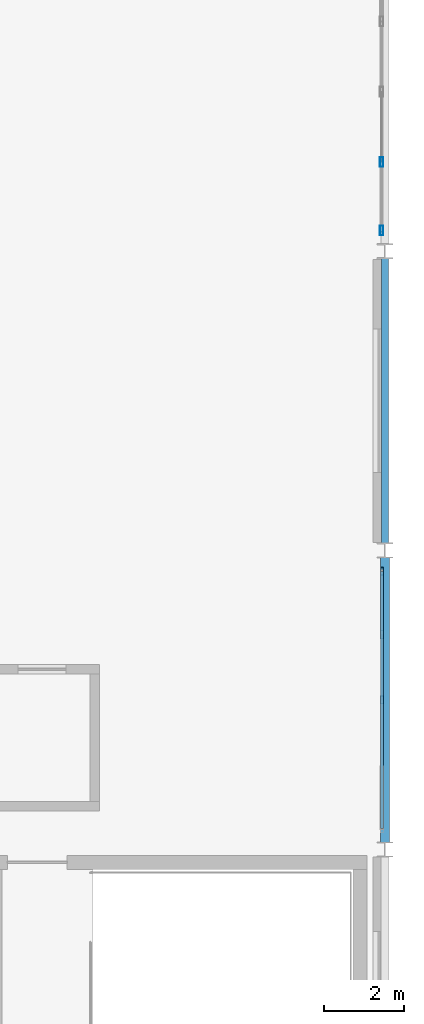
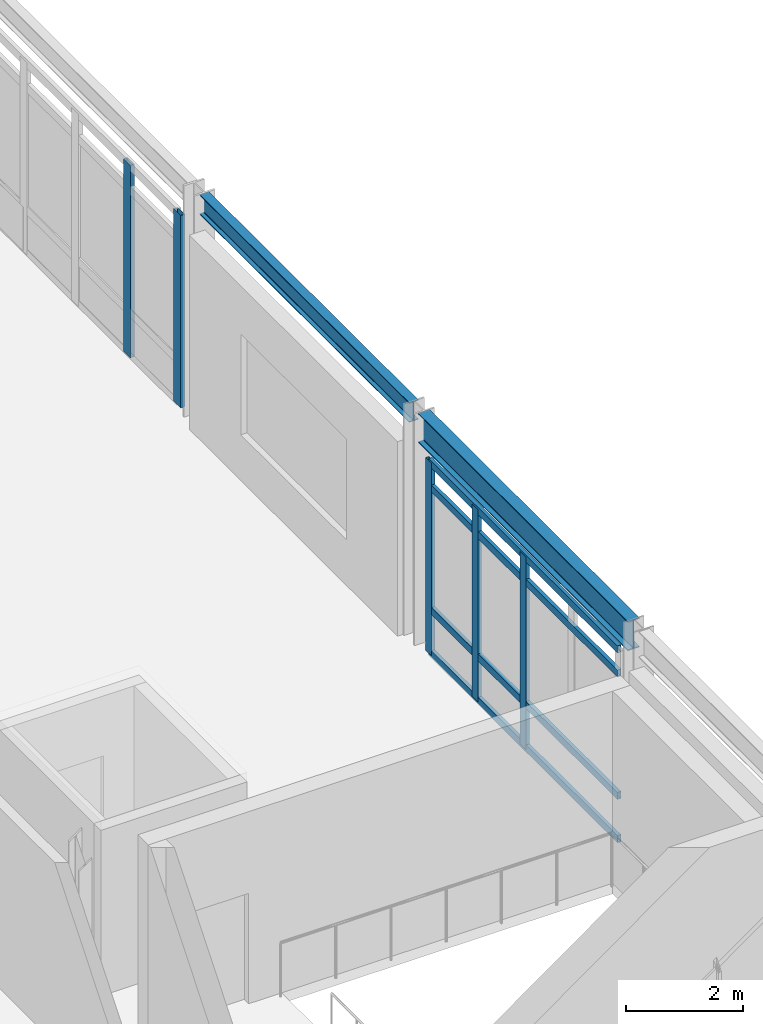
# One storey, part 23 of 56: 9 members, 2 beams, 2 elements without a shape of their own.
"""IFC4 building model written with IfcOpenShell, lengths in metres."""

from ifc_helpers import new_model, si_unit, direction, frame, origin, origin_2d, place, context, subcontext, project, spatial, hollow_rectangle, i_section, extrude, material, material_profile, profile_set, type_object, element, aggregate, save


model = new_model("IFC4")

# Units and contexts
model_context = context("Model", 3, precision=1e-05, world=origin(), true_north=direction((0.0, 1.0)))
body_context = subcontext(model_context, "Body", "Model", "MODEL_VIEW")
ifc_project = project(units=[si_unit("LENGTHUNIT", "METRE"), si_unit("AREAUNIT", "SQUARE_METRE"), si_unit("VOLUMEUNIT", "CUBIC_METRE"), si_unit("PLANEANGLEUNIT", "RADIAN"), si_unit("MASSUNIT", "GRAM", prefix="KILO"), si_unit("THERMODYNAMICTEMPERATUREUNIT", "KELVIN"), si_unit("POWERUNIT", "WATT")], contexts=[model_context])

# Site, building, storey
site_placement = place(None, origin())
site = spatial("IfcSite", under=ifc_project, at=site_placement, CompositionType="ELEMENT")
building_placement = place(site_placement, origin())
building = spatial("IfcBuilding", under=site, at=building_placement, Name="Tepalcoro Natatorium and Aquatics Centre", CompositionType="ELEMENT")
storey_placement = place(building_placement, frame((0.0, 0.0, 14.800048828125)))
storey = spatial("IfcBuildingStorey", under=building, at=storey_placement, Name="L03", CompositionType="ELEMENT", Elevation=14.800048828125)

# Curtain wall, members
ifc_material_1 = material(Name="Bronze-Anodised Extruded Aluminium Alloy EN AW-6063 T6", Category="aluminium")
curtain_wall_type_1 = type_object("IfcCurtainWallType", Name="CW_LEAN_T2_NS", PredefinedType="USERDEFINED", material=ifc_material_1)
curtain_wall_1_placement = place(storey_placement, origin())
curtain_wall_1 = element("IfcCurtainWall", 1, at=curtain_wall_1_placement, inside=storey, type_object=curtain_wall_type_1, Name="V2 L03 E Unitised Curtain Wall Bay 2", ObjectType="FACETED SOLAR GLAZING", PredefinedType="USERDEFINED")
ifc_material_profile_1 = material_profile(ifc_material_1, hollow_rectangle(XDim=0.070068359375, YDim=0.199951171875, WallThickness=0.0048828125, at=origin_2d()), Name="AL70X200X5")
ifc_profile_set_1 = profile_set([ifc_material_profile_1], Name="Bronze-Anodised Extruded Aluminium Alloy EN AW-6063 T6")
member_type_1 = type_object("IfcMemberType", Name="CW_MUL_70x200", PredefinedType="MULLION", material=ifc_profile_set_1)
member_1_placement = place(storey_placement, frame((175.923828125, 16.75, 0.02001953125), z_axis=(0.0, 0.0, 1.0), x_axis=(1.0, 0.0, 0.0)))
member_1 = element("IfcMember", 2, at=member_1_placement, type_object=member_type_1, Name="CW_LEAN_T2_NS Curtain Wall Mullion", PredefinedType="MULLION", context=body_context, shape_type="SweptSolid", body=[
    extrude(hollow_rectangle(XDim=0.070068359375, YDim=0.199951171875, WallThickness=0.0048828125, at=origin_2d()), origin(), (0.0, 0.0, 1.0), 4.010009765625),
])
member_2_placement = place(storey_placement, frame((175.923828125, 18.385009765625, 0.02001953125), z_axis=(0.0, 0.0, 1.0), x_axis=(1.0, 0.0, 0.0)))
member_2 = element("IfcMember", 3, at=member_2_placement, type_object=member_type_1, Name="CW_LEAN_T2_NS Curtain Wall Mullion", PredefinedType="MULLION", context=body_context, shape_type="SweptSolid", body=[
    extrude(hollow_rectangle(XDim=0.070068359375, YDim=0.199951171875, WallThickness=0.0048828125, at=origin_2d()), origin(), (0.0, 0.0, 1.0), 4.010009765625),
])
member_3_placement = place(storey_placement, frame((175.923828125, 19.97998046875, 0.02001953125), z_axis=(0.0, 0.0, 1.0), x_axis=(1.0, 0.0, 0.0)))
member_3 = element("IfcMember", 4, at=member_3_placement, type_object=member_type_1, Name="CW_LEAN_T2_NS Curtain Wall Mullion", PredefinedType="MULLION", context=body_context, shape_type="SweptSolid", body=[
    extrude(hollow_rectangle(XDim=0.070068359375, YDim=0.199951171875, WallThickness=0.0048828125, at=origin_2d()), origin(), (0.0, 0.0, 1.0), 4.010009765625),
])

curtain_wall_type_2 = type_object("IfcCurtainWallType", Name="CW_V1_PLINTH", PredefinedType="USERDEFINED", material=ifc_material_1)
curtain_wall_2_placement = place(storey_placement, origin())
curtain_wall_2 = element("IfcCurtainWall", 5, at=curtain_wall_2_placement, inside=storey, type_object=curtain_wall_type_2, Name="V2 L03 E Unitised Curtain Wall Bay 4", ObjectType="UNITISED STOREFRONT", PredefinedType="USERDEFINED")
ifc_material_profile_2 = material_profile(ifc_material_1, hollow_rectangle(XDim=0.080078125, YDim=0.239990234375, WallThickness=0.0048828125, at=origin_2d()), Name="AL80X240X5")
ifc_profile_set_2 = profile_set([ifc_material_profile_2], Name="Bronze-Anodised Extruded Aluminium Alloy EN AW-6063 T6")
member_type_2 = type_object("IfcMemberType", Name="CW_MUL_80x240", PredefinedType="MULLION", material=ifc_profile_set_2)
member_4_placement = place(storey_placement, frame((175.909912109375, 28.52001953125, 0.02001953125), z_axis=(0.0, 0.0, 1.0), x_axis=(1.0, 0.0, 0.0)))
member_4 = element("IfcMember", 6, at=member_4_placement, type_object=member_type_2, Name="CW_V1_PLINTH Curtain Wall Mullion", PredefinedType="MULLION", context=body_context, shape_type="SweptSolid", body=[
    extrude(hollow_rectangle(XDim=0.080078125, YDim=0.239990234375, WallThickness=0.0048828125, at=origin_2d()), origin(), (0.0, 0.0, 1.0), 4.010009765625),
])
member_5_placement = place(storey_placement, frame((175.909912109375, 30.239990234375, 0.02001953125), z_axis=(0.0, 0.0, 1.0), x_axis=(1.0, 0.0, 0.0)))
member_5 = element("IfcMember", 7, at=member_5_placement, type_object=member_type_2, Name="CW_V1_PLINTH Curtain Wall Mullion", PredefinedType="MULLION", context=body_context, shape_type="SweptSolid", body=[
    extrude(hollow_rectangle(XDim=0.080078125, YDim=0.239990234375, WallThickness=0.0048828125, at=origin_2d()), origin(), (0.0, 0.0, 1.0), 4.010009765625),
])
aggregate(curtain_wall_2, [member_4, member_5])

# Member
ifc_material_profile_3 = material_profile(ifc_material_1, hollow_rectangle(XDim=0.070068359375, YDim=0.14990234375, WallThickness=0.00390625, at=origin_2d()), Name="AL70X150X4")
ifc_profile_set_3 = profile_set([ifc_material_profile_3], Name="Bronze-Anodised Extruded Aluminium Alloy EN AW-6063 T6")
member_type_3 = type_object("IfcMemberType", Name="CW_TRN_70x150", PredefinedType="USERDEFINED", material=ifc_profile_set_3)
member_6_placement = place(storey_placement, frame((175.923828125, 13.530029296875, 0.050048828125), z_axis=(0.0, 1.0, 0.0), x_axis=(-1.0, 0.0, 0.0)))
member_6 = element("IfcMember", 8, at=member_6_placement, type_object=member_type_3, Name="CW_LEAN_T2_NS Curtain Wall Transom", ObjectType="TRANSOM", PredefinedType="USERDEFINED", context=body_context, shape_type="SweptSolid", body=[
    extrude(hollow_rectangle(XDim=0.070068359375, YDim=0.14990234375, WallThickness=0.00390625, at=origin_2d()), origin(), (0.0, 0.0, 1.0), 6.43994140625),
])

member_7_placement = place(storey_placement, frame((175.923828125, 13.530029296875, 0.949951171875), z_axis=(0.0, 1.0, 0.0), x_axis=(-1.0, 0.0, 0.0)))
member_7 = element("IfcMember", 9, at=member_7_placement, type_object=member_type_3, Name="CW_LEAN_T2_NS Curtain Wall Transom", ObjectType="TRANSOM", PredefinedType="USERDEFINED", context=body_context, shape_type="SweptSolid", body=[
    extrude(hollow_rectangle(XDim=0.070068359375, YDim=0.14990234375, WallThickness=0.00390625, at=origin_2d()), origin(), (0.0, 0.0, 1.0), 6.43994140625),
])

member_8_placement = place(storey_placement, frame((175.923828125, 13.530029296875, 3.5), z_axis=(0.0, 1.0, 0.0), x_axis=(-1.0, 0.0, 0.0)))
member_8 = element("IfcMember", 10, at=member_8_placement, type_object=member_type_3, Name="CW_LEAN_T2_NS Curtain Wall Transom", ObjectType="TRANSOM", PredefinedType="USERDEFINED", context=body_context, shape_type="SweptSolid", body=[
    extrude(hollow_rectangle(XDim=0.070068359375, YDim=0.14990234375, WallThickness=0.00390625, at=origin_2d()), origin(), (0.0, 0.0, 1.0), 6.43994140625),
])

member_9_placement = place(storey_placement, frame((175.923828125, 13.530029296875, 4.0), z_axis=(0.0, 1.0, 0.0), x_axis=(-1.0, 0.0, 0.0)))
member_9 = element("IfcMember", 11, at=member_9_placement, type_object=member_type_3, Name="CW_LEAN_T2_NS Curtain Wall Transom", ObjectType="TRANSOM", PredefinedType="USERDEFINED", context=body_context, shape_type="SweptSolid", body=[
    extrude(hollow_rectangle(XDim=0.070068359375, YDim=0.14990234375, WallThickness=0.00390625, at=origin_2d()), origin(), (0.0, 0.0, 1.0), 6.43994140625),
])

aggregate(curtain_wall_1, [member_1, member_2, member_3, member_6, member_7, member_8, member_9])

# Beams
ifc_material_2 = material(Name="Steel ASTM A992 Grade 50 (Fy 345 MPa)", Category="steel")
ifc_material_profile_4 = material_profile(ifc_material_2, i_section(OverallWidth=0.179931640625, OverallDepth=0.4130859375, WebThickness=0.010009765625, FlangeThickness=0.01611328125, FilletRadius=0.013916015625, at=origin_2d()), Name="W16X50")
ifc_profile_set_4 = profile_set([ifc_material_profile_4], Name="Steel ASTM A992 Grade 50 (Fy 345 MPa)")
beam_type_1 = type_object("IfcBeamType", Name="SP_HSS300x200x12", PredefinedType="SPANDREL", material=ifc_profile_set_4)
beam_1_placement = place(storey_placement, frame((176.0, 20.672119140625, 4.598388671875), z_axis=(0.0, 1.0, 0.0), x_axis=(-1.0, 0.0, 0.0)))
element("IfcBeam", 12, at=beam_1_placement, inside=storey, type_object=beam_type_1, Name="V2 L03 Grid Girder Y", PredefinedType="SPANDREL", context=body_context, shape_type="SweptSolid", body=[
    extrude(i_section(OverallWidth=0.179931640625, OverallDepth=0.4130859375, WebThickness=0.010009765625, FlangeThickness=0.01611328125, FilletRadius=0.013916015625, at=origin_2d()), origin(), (0.0, 0.0, 1.0), 7.1494140625),
])
ifc_material_profile_5 = material_profile(ifc_material_2, i_section(OverallWidth=0.22900390625, OverallDepth=0.612060546875, WebThickness=0.011962890625, FlangeThickness=0.02001953125, FilletRadius=0.013916015625, at=origin_2d()), Name="W24X84")
ifc_profile_set_5 = profile_set([ifc_material_profile_5], Name="Steel ASTM A992 Grade 50 (Fy 345 MPa)")
beam_type_2 = type_object("IfcBeamType", Name="SP_W24x84", PredefinedType="SPANDREL", material=ifc_profile_set_5)
beam_2_placement = place(storey_placement, frame((176.0, 13.1669921875, 4.4990234375), z_axis=(0.0, 1.0, 0.0), x_axis=(-1.0, 0.0, 0.0)))
element("IfcBeam", 13, at=beam_2_placement, inside=storey, type_object=beam_type_2, Name="V2 L03 Grid Girder Y", PredefinedType="SPANDREL", context=body_context, shape_type="SweptSolid", body=[
    extrude(i_section(OverallWidth=0.22900390625, OverallDepth=0.612060546875, WebThickness=0.011962890625, FlangeThickness=0.02001953125, FilletRadius=0.013916015625, at=origin_2d()), origin(), (0.0, 0.0, 1.0), 7.160888671875),
])

save(model, "model.ifc")
